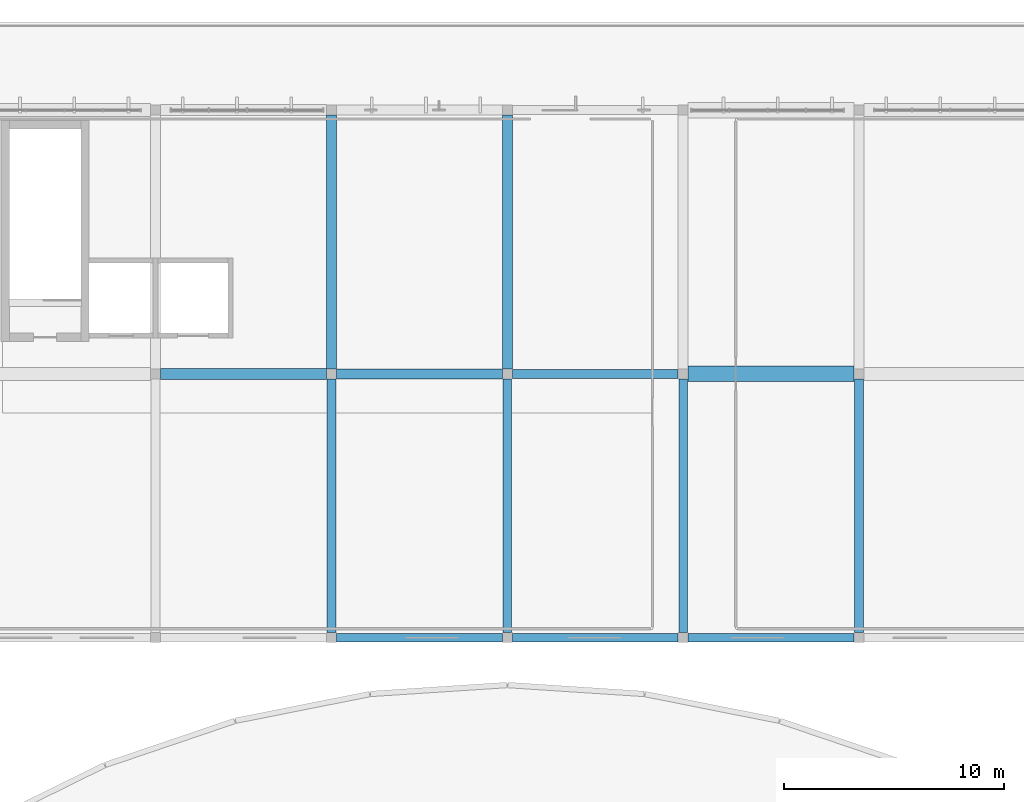
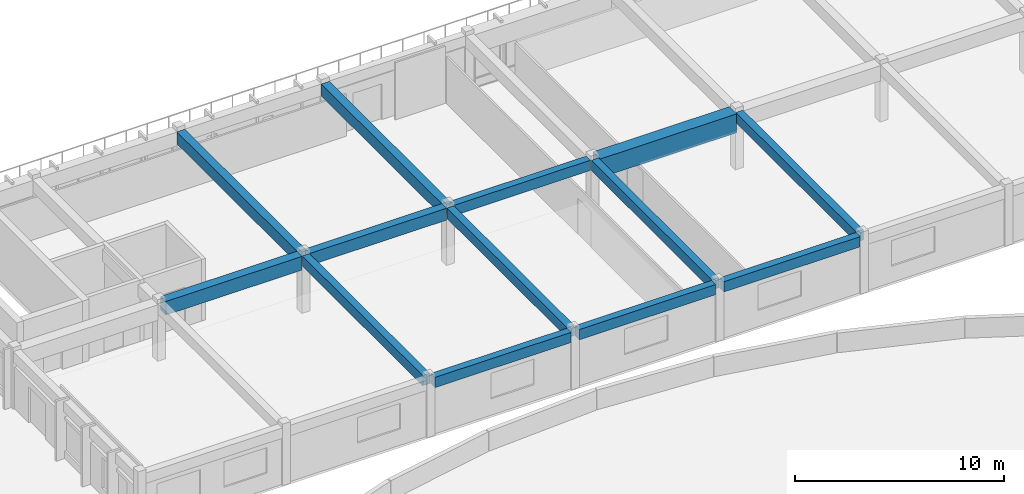
# One storey, part 19 of 77: 13 beams.
"""IFC4 building model written with IfcOpenShell, lengths in metres."""

from ifc_helpers import new_model, si_unit, direction, frame, origin, origin_2d, place, context, subcontext, project, spatial, rectangle, extrude, material, material_profile, profile_set, type_object, element, save


model = new_model("IFC4")

# Units and contexts
model_context = context("Model", 3, precision=1e-05, world=origin(), true_north=direction((0.0, 1.0)))
body_context = subcontext(model_context, "Body", "Model", "MODEL_VIEW")
ifc_project = project(units=[si_unit("LENGTHUNIT", "METRE"), si_unit("AREAUNIT", "SQUARE_METRE"), si_unit("VOLUMEUNIT", "CUBIC_METRE"), si_unit("PLANEANGLEUNIT", "RADIAN"), si_unit("MASSUNIT", "GRAM", prefix="KILO")], contexts=[model_context])

# Site, building, storey
site_placement = place(None, origin())
site = spatial("IfcSite", under=ifc_project, at=site_placement, CompositionType="ELEMENT")
building_placement = place(site_placement, origin())
building = spatial("IfcBuilding", under=site, at=building_placement, Name="Larkveld Mobility Hub", CompositionType="ELEMENT")
storey_placement = place(building_placement, frame((0.0, 0.0, 12.0)))
storey = spatial("IfcBuildingStorey", under=building, at=storey_placement, Name="L03", CompositionType="ELEMENT", Elevation=12.0)

# Beams
ifc_material = material(Name="Concrete C40/50", Category="concrete")
ifc_material_profile_1 = material_profile(ifc_material, rectangle(XDim=0.39990234375, YDim=0.60009765625, at=origin_2d()), Name="RC BM 400x600")
ifc_profile_set_1 = profile_set([ifc_material_profile_1], Name="Concrete C40/50")
beam_type_1 = type_object("IfcBeamType", Name="BM-RC4060", PredefinedType="BEAM", material=ifc_profile_set_1)
for number, where, z_axis, x_axis, name in (
    (1, (40.22509765625, 98.0, 3.06005859375), (1.0, 0.0, 0.0), (0.0, 1.0, 0.0), "Primary E-W Girder L03-0746"),
    (2, (48.22509765625, 98.0, 3.06005859375), (1.0, 0.0, 0.0), (0.0, 1.0, 0.0), "Primary E-W Girder L03-0747"),
    (3, (56.22509765625, 98.0, 3.06005859375), (1.0, 0.0, 0.0), (0.0, 1.0, 0.0), "Primary E-W Girder L03-0748"),
    (4, (48.22509765625, 110.0, 3.06005859375), (1.0, 0.0, 0.0), (0.0, 1.0, 0.0), "Primary E-W Girder L03-0758"),
):
    element("IfcBeam", number, at=place(storey_placement, frame(where, z_axis=z_axis, x_axis=x_axis)), inside=storey, type_object=beam_type_1, Name=name, PredefinedType="BEAM", context=body_context, shape_type="SweptSolid", body=[
        extrude(rectangle(XDim=0.39990234375, YDim=0.60009765625, at=origin_2d()), origin(), (0.0, 0.0, 1.0), 7.5498046875),
    ])
for number, where, z_axis, x_axis, name in (
    (5, (40.0, 98.22509765625, 3.06005859375), (0.0, 1.0, 0.0), (-1.0, 0.0, 0.0), "Primary N-S Girder L03-0775"),
    (6, (48.0, 98.22509765625, 3.06005859375), (0.0, 1.0, 0.0), (-1.0, 0.0, 0.0), "Primary N-S Girder L03-0777"),
    (7, (56.0, 98.22509765625, 3.06005859375), (0.0, 1.0, 0.0), (-1.0, 0.0, 0.0), "Primary N-S Girder L03-0779"),
    (8, (64.0, 98.22509765625, 3.06005859375), (0.0, 1.0, 0.0), (-1.0, 0.0, 0.0), "Primary N-S Girder L03-0781"),
):
    element("IfcBeam", number, at=place(storey_placement, frame(where, z_axis=z_axis, x_axis=x_axis)), inside=storey, type_object=beam_type_1, Name=name, PredefinedType="BEAM", context=body_context, shape_type="SweptSolid", body=[
        extrude(rectangle(XDim=0.39990234375, YDim=0.60009765625, at=origin_2d()), origin(), (0.0, 0.0, 1.0), 11.5498046875),
    ])
ifc_material_profile_2 = material_profile(ifc_material, rectangle(XDim=0.449951171875, YDim=0.699951171875, at=origin_2d()), Name="RC BM 450x700")
ifc_profile_set_2 = profile_set([ifc_material_profile_2], Name="Concrete C40/50")
beam_type_2 = type_object("IfcBeamType", Name="BM-RC4570", PredefinedType="BEAM", material=ifc_profile_set_2)
beam_1_placement = place(storey_placement, frame((40.22509765625, 110.0, 3.010009765625), z_axis=(1.0, 0.0, 0.0), x_axis=(0.0, 1.0, 0.0)))
element("IfcBeam", 9, at=beam_1_placement, inside=storey, type_object=beam_type_2, Name="Primary E-W Girder L03-0757", PredefinedType="BEAM", context=body_context, shape_type="SweptSolid", body=[
    extrude(rectangle(XDim=0.449951171875, YDim=0.699951171875, at=origin_2d()), origin(), (0.0, 0.0, 1.0), 7.5498046875),
])
for number, where, z_axis, x_axis, name in (
    (10, (40.0, 110.22509765625, 3.010009765625), (0.0, 1.0, 0.0), (-1.0, 0.0, 0.0), "Primary N-S Girder L03-0776"),
    (11, (48.0, 110.22509765625, 3.010009765625), (0.0, 1.0, 0.0), (-1.0, 0.0, 0.0), "Primary N-S Girder L03-0778"),
):
    element("IfcBeam", number, at=place(storey_placement, frame(where, z_axis=z_axis, x_axis=x_axis)), inside=storey, type_object=beam_type_2, Name=name, PredefinedType="BEAM", context=body_context, shape_type="SweptSolid", body=[
        extrude(rectangle(XDim=0.449951171875, YDim=0.699951171875, at=origin_2d()), origin(), (0.0, 0.0, 1.0), 11.5498046875),
    ])
ifc_material_profile_3 = material_profile(ifc_material, rectangle(XDim=0.5, YDim=0.800048828125, at=origin_2d()), Name="RC BM 500x800")
ifc_profile_set_3 = profile_set([ifc_material_profile_3], Name="Concrete C40/50")
beam_type_3 = type_object("IfcBeamType", Name="BM-RC5080", PredefinedType="BEAM", material=ifc_profile_set_3)
beam_2_placement = place(storey_placement, frame((32.22509765625, 110.0, 2.9599609375), z_axis=(1.0, 0.0, 0.0), x_axis=(0.0, 1.0, 0.0)))
element("IfcBeam", 12, at=beam_2_placement, inside=storey, type_object=beam_type_3, Name="Primary E-W Girder L03-0756", PredefinedType="BEAM", context=body_context, shape_type="SweptSolid", body=[
    extrude(rectangle(XDim=0.5, YDim=0.800048828125, at=origin_2d()), origin(), (0.0, 0.0, 1.0), 7.5498046875),
])
ifc_material_profile_4 = material_profile(ifc_material, rectangle(XDim=0.699951171875, YDim=1.10009765625, at=origin_2d()), Name="RC BM 700x1100")
ifc_profile_set_4 = profile_set([ifc_material_profile_4], Name="Concrete C40/50")
beam_type_4 = type_object("IfcBeamType", Name="BM-RC70110", PredefinedType="BEAM", material=ifc_profile_set_4)
beam_3_placement = place(storey_placement, frame((56.22509765625, 110.0, 2.81005859375), z_axis=(1.0, 0.0, 0.0), x_axis=(0.0, 1.0, 0.0)))
element("IfcBeam", 13, at=beam_3_placement, inside=storey, type_object=beam_type_4, Name="Primary E-W Girder L03-0759", PredefinedType="BEAM", context=body_context, shape_type="SweptSolid", body=[
    extrude(rectangle(XDim=0.699951171875, YDim=1.10009765625, at=origin_2d()), origin(), (0.0, 0.0, 1.0), 7.5498046875),
])

save(model, "model.ifc")
